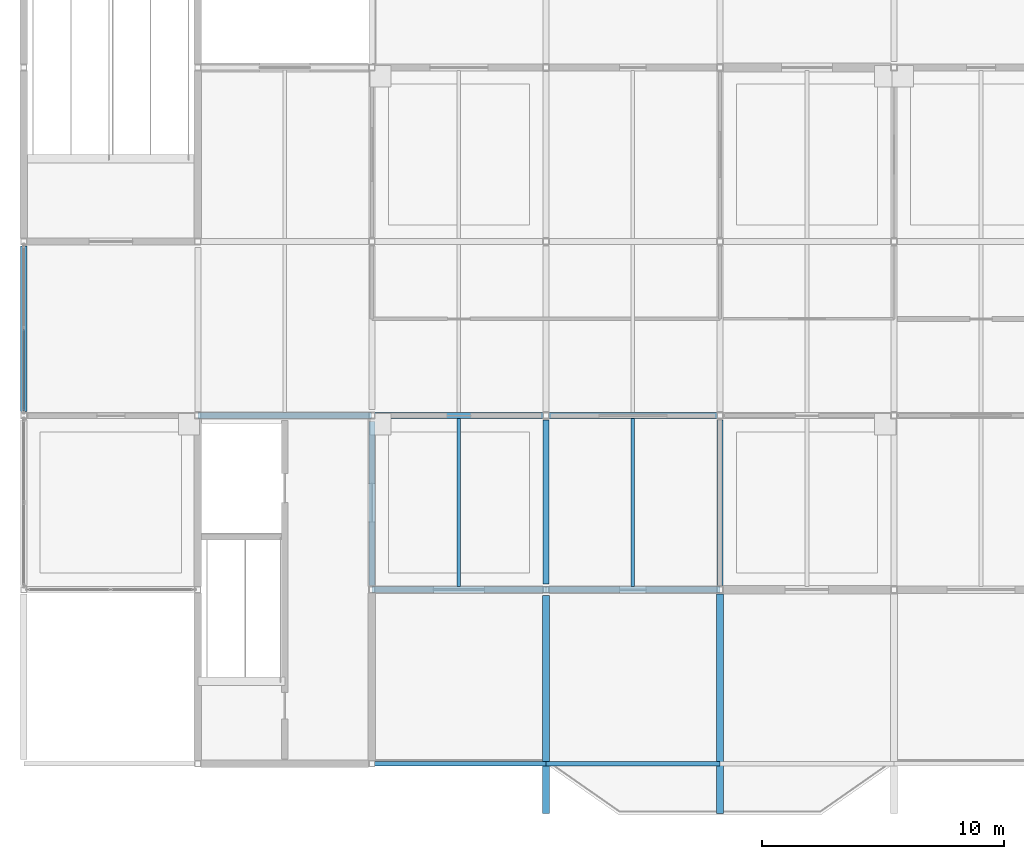
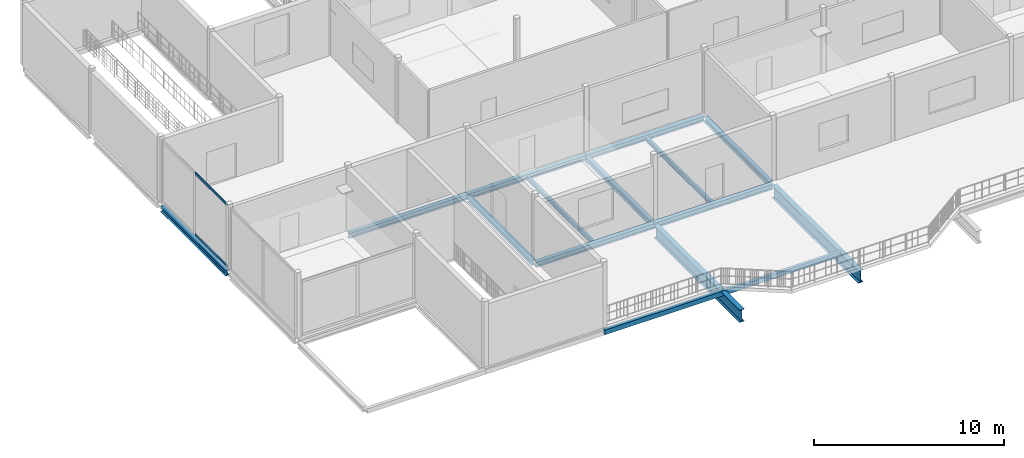
# One storey, part 8 of 18: 15 beams, 2 members, 1 element without a shape of its own.
"""IFC4 building model written with IfcOpenShell, lengths in metres."""

from ifc_helpers import new_model, si_unit, direction, frame, origin, origin_2d, place, context, subcontext, project, spatial, hollow_rectangle, i_section, extrude, material, material_profile, profile_set, type_object, element, aggregate, save


model = new_model("IFC4")

# Units and contexts
model_context = context("Model", 3, precision=1e-05, world=origin(), true_north=direction((0.0, 1.0)))
body_context = subcontext(model_context, "Body", "Model", "MODEL_VIEW")
ifc_project = project(units=[si_unit("LENGTHUNIT", "METRE"), si_unit("AREAUNIT", "SQUARE_METRE"), si_unit("VOLUMEUNIT", "CUBIC_METRE"), si_unit("PLANEANGLEUNIT", "RADIAN"), si_unit("MASSUNIT", "GRAM", prefix="KILO")], contexts=[model_context])

# Site, building, storey
site_placement = place(None, origin())
site = spatial("IfcSite", under=ifc_project, at=site_placement, CompositionType="ELEMENT")
building_placement = place(site_placement, origin())
building = spatial("IfcBuilding", under=site, at=building_placement, Name="Vesperath Aquatics Centre", CompositionType="ELEMENT")
storey_placement = place(building_placement, frame((0.0, 0.0, 23.39990234375)))
storey = spatial("IfcBuildingStorey", under=building, at=storey_placement, Name="L05", CompositionType="ELEMENT", Elevation=23.39990234375)

# Beams
ifc_material_1 = material(Name="Steel Q355D", Category="steel")
ifc_material_profile_1 = material_profile(ifc_material_1, i_section(OverallWidth=0.300048828125, OverallDepth=0.800048828125, WebThickness=0.013916015625, FlangeThickness=0.02587890625, FilletRadius=0.028076171875, at=origin_2d()), Name="HN 800x300x14x26")
ifc_profile_set_1 = profile_set([ifc_material_profile_1], Name="Steel Q355D")
beam_type_1 = type_object("IfcBeamType", Name="BM-G07", PredefinedType="BEAM", material=ifc_profile_set_1)
beam_1_placement = place(storey_placement, frame((136.800048828125, -2.050048828125, -0.619873046875), z_axis=(0.0, 1.0, 0.0), x_axis=(-1.0, 0.0, 0.0)))
element("IfcBeam", 1, at=beam_1_placement, inside=storey, type_object=beam_type_1, Name="Floor Girder B07 L05 20 A-B", PredefinedType="BEAM", context=body_context, shape_type="SweptSolid", body=[
    extrude(i_section(OverallWidth=0.300048828125, OverallDepth=0.800048828125, WebThickness=0.013916015625, FlangeThickness=0.02587890625, FilletRadius=0.028076171875, at=origin_2d()), origin(), (0.0, 0.0, 1.0), 9.006103515625),
])
beam_2_placement = place(storey_placement, frame((144.0, -2.050048828125, -0.619873046875), z_axis=(0.0, 1.0, 0.0), x_axis=(-1.0, 0.0, 0.0)))
element("IfcBeam", 2, at=beam_2_placement, inside=storey, type_object=beam_type_1, Name="Floor Girder B07 L05 21 A-B", PredefinedType="BEAM", context=body_context, shape_type="SweptSolid", body=[
    extrude(i_section(OverallWidth=0.300048828125, OverallDepth=0.800048828125, WebThickness=0.013916015625, FlangeThickness=0.02587890625, FilletRadius=0.028076171875, at=origin_2d()), origin(), (0.0, 0.0, 1.0), 9.074951171875),
])
ifc_material_2 = material(Name="Steel Q355C", Category="steel")
ifc_material_profile_2 = material_profile(ifc_material_2, i_section(OverallWidth=0.25, OverallDepth=0.340087890625, WebThickness=0.009033203125, FlangeThickness=0.013916015625, FilletRadius=0.02001953125, at=origin_2d()), Name="HM 340x250x9x14")
ifc_profile_set_2 = profile_set([ifc_material_profile_2], Name="Steel Q355C")
beam_type_2 = type_object("IfcBeamType", Name="BM-G12", PredefinedType="BEAM", material=ifc_profile_set_2)
for number, where, z_axis, x_axis, name in (
    (3, (122.406005859375, 14.39990234375, -0.389892578125), (1.0, 0.0, 0.0), (0.0, 1.0, 0.0), "Floor Girder B12 L05 C 18-19"),
    (4, (129.60595703125, 7.199951171875, -0.389892578125), (1.0, 0.0, 0.0), (0.0, 1.0, 0.0), "Floor Girder B12 L05 B 19-20"),
    (5, (129.60546875, 14.39990234375, -0.389892578125), (1.0, 0.0, 0.0), (0.0, 1.0, 0.0), "Floor Girder B12 L05 C 19-20"),
    (6, (136.805419921875, 7.199951171875, -0.389892578125), (1.0, 0.0, 0.0), (0.0, 1.0, 0.0), "Floor Girder B12 L05 B 20-21"),
):
    element("IfcBeam", number, at=place(storey_placement, frame(where, z_axis=z_axis, x_axis=x_axis)), inside=storey, type_object=beam_type_2, Name=name, PredefinedType="BEAM", context=body_context, shape_type="SweptSolid", body=[
        extrude(i_section(OverallWidth=0.25, OverallDepth=0.340087890625, WebThickness=0.009033203125, FlangeThickness=0.013916015625, FilletRadius=0.02001953125, at=origin_2d()), origin(), (0.0, 0.0, 1.0), 7.1884765625),
    ])
beam_3_placement = place(storey_placement, frame((136.805908203125, 14.39990234375, -0.389892578125), z_axis=(1.0, 0.0, 0.0), x_axis=(0.0, 1.0, 0.0)))
element("IfcBeam", 7, at=beam_3_placement, inside=storey, type_object=beam_type_2, Name="Floor Girder B12 L05 C 20-21", PredefinedType="BEAM", context=body_context, shape_type="SweptSolid", body=[
    extrude(i_section(OverallWidth=0.25, OverallDepth=0.340087890625, WebThickness=0.009033203125, FlangeThickness=0.013916015625, FilletRadius=0.02001953125, at=origin_2d()), origin(), (0.0, 0.0, 1.0), 7.18798828125),
])
beam_4_placement = place(storey_placement, frame((115.199951171875, 14.574951171875, -0.389892578125), z_axis=(0.0, 1.0, 0.0), x_axis=(-1.0, 0.0, 0.0)))
element("IfcBeam", 8, at=beam_4_placement, inside=storey, type_object=beam_type_2, Name="Floor Girder B12 L05 17 C-D", PredefinedType="BEAM", context=body_context, shape_type="SweptSolid", body=[
    extrude(i_section(OverallWidth=0.25, OverallDepth=0.340087890625, WebThickness=0.009033203125, FlangeThickness=0.013916015625, FilletRadius=0.02001953125, at=origin_2d()), origin(), (0.0, 0.0, 1.0), 6.85009765625),
])
for number, where, z_axis, x_axis, name in (
    (9, (129.60009765625, 7.375, -0.389892578125), (0.0, 1.0, 0.0), (-1.0, 0.0, 0.0), "Floor Girder B12 L05 19 B-C"),
    (10, (136.800048828125, 7.444091796875, -0.389892578125), (0.0, 1.0, 0.0), (-1.0, 0.0, 0.0), "Floor Girder B12 L05 20 B-C"),
):
    element("IfcBeam", number, at=place(storey_placement, frame(where, z_axis=z_axis, x_axis=x_axis)), inside=storey, type_object=beam_type_2, Name=name, PredefinedType="BEAM", context=body_context, shape_type="SweptSolid", body=[
        extrude(i_section(OverallWidth=0.25, OverallDepth=0.340087890625, WebThickness=0.009033203125, FlangeThickness=0.013916015625, FilletRadius=0.02001953125, at=origin_2d()), origin(), (0.0, 0.0, 1.0), 6.781005859375),
    ])
beam_5_placement = place(storey_placement, frame((144.0, 7.375, -0.389892578125), z_axis=(0.0, 1.0, 0.0), x_axis=(-1.0, 0.0, 0.0)))
element("IfcBeam", 11, at=beam_5_placement, inside=storey, type_object=beam_type_2, Name="Floor Girder B12 L05 21 B-C", PredefinedType="BEAM", context=body_context, shape_type="SweptSolid", body=[
    extrude(i_section(OverallWidth=0.25, OverallDepth=0.340087890625, WebThickness=0.009033203125, FlangeThickness=0.013916015625, FilletRadius=0.02001953125, at=origin_2d()), origin(), (0.0, 0.0, 1.0), 6.85009765625),
])
ifc_material_profile_3 = material_profile(ifc_material_2, i_section(OverallWidth=0.14990234375, OverallDepth=0.300048828125, WebThickness=0.006591796875, FlangeThickness=0.009033203125, FilletRadius=0.012939453125, at=origin_2d()), Name="HN 300x150x6.5x9")
ifc_profile_set_3 = profile_set([ifc_material_profile_3], Name="Steel Q355C")
beam_type_3 = type_object("IfcBeamType", Name="BM-J06", PredefinedType="JOIST", material=ifc_profile_set_3)
for number, where, z_axis, x_axis, name in (
    (12, (133.199951171875, 7.324951171875, -0.369873046875), (0.0, 1.0, 0.0), (-1.0, 0.0, 0.0), "Secondary Floor Joist J06 L05 19/B"),
    (13, (140.39990234375, 7.324951171875, -0.369873046875), (0.0, 1.0, 0.0), (-1.0, 0.0, 0.0), "Secondary Floor Joist J06 L05 20/B"),
):
    element("IfcBeam", number, at=place(storey_placement, frame(where, z_axis=z_axis, x_axis=x_axis)), inside=storey, type_object=beam_type_3, Name=name, PredefinedType="JOIST", context=body_context, shape_type="SweptSolid", body=[
        extrude(i_section(OverallWidth=0.14990234375, OverallDepth=0.300048828125, WebThickness=0.006591796875, FlangeThickness=0.009033203125, FilletRadius=0.012939453125, at=origin_2d()), origin(), (0.0, 0.0, 1.0), 6.949951171875),
    ])
ifc_material_profile_4 = material_profile(ifc_material_2, hollow_rectangle(XDim=0.199951171875, YDim=0.300048828125, WallThickness=0.010009765625, at=origin_2d()), Name="RHS 300x200x10")
ifc_profile_set_4 = profile_set([ifc_material_profile_4], Name="Steel Q355C")
beam_type_4 = type_object("IfcBeamType", Name="BM-LN02", PredefinedType="LINTEL", material=ifc_profile_set_4)
beam_6_placement = place(storey_placement, frame((129.60595703125, 0.0, -0.369873046875), z_axis=(1.0, 0.0, 0.0), x_axis=(0.0, 1.0, 0.0)))
element("IfcBeam", 14, at=beam_6_placement, inside=storey, type_object=beam_type_4, Name="Floor Girder LN02 L05 A 19-20", PredefinedType="LINTEL", context=body_context, shape_type="SweptSolid", body=[
    extrude(hollow_rectangle(XDim=0.199951171875, YDim=0.300048828125, WallThickness=0.010009765625, at=origin_2d()), origin(), (0.0, 0.0, 1.0), 7.18798828125),
])
beam_7_placement = place(storey_placement, frame((136.805908203125, 0.0, -0.369873046875), z_axis=(1.0, 0.0, 0.0), x_axis=(0.0, 1.0, 0.0)))
element("IfcBeam", 15, at=beam_7_placement, inside=storey, type_object=beam_type_4, Name="Floor Girder LN02 L05 A 20-21", PredefinedType="LINTEL", context=body_context, shape_type="SweptSolid", body=[
    extrude(hollow_rectangle(XDim=0.199951171875, YDim=0.300048828125, WallThickness=0.010009765625, at=origin_2d()), origin(), (0.0, 0.0, 1.0), 7.1884765625),
])

# Curtain wall, members
ifc_material_3 = material(Name="Thermally broken anodised bronze aluminium curtain wall", Category="aluminium")
curtain_wall_type = type_object("IfcCurtainWallType", Name="CW-07", PredefinedType="NOTDEFINED", material=ifc_material_3)
curtain_wall_placement = place(storey_placement, origin())
curtain_wall = element("IfcCurtainWall", 16, at=curtain_wall_placement, inside=storey, type_object=curtain_wall_type, Name="Facade Curtain Wall CW07 L05_W_16_02", PredefinedType="NOTDEFINED")
ifc_material_4 = material(Name="Thermally broken anodised aluminium", Category="aluminium")
ifc_material_profile_5 = material_profile(ifc_material_4, hollow_rectangle(XDim=0.06494140625, YDim=0.139892578125, WallThickness=0.00390625, at=origin_2d()), Name="CWT 65x140x4")
ifc_profile_set_5 = profile_set([ifc_material_profile_5], Name="Thermally broken anodised aluminium")
member_type = type_object("IfcMemberType", Name="MB-CWT3", PredefinedType="USERDEFINED", material=ifc_profile_set_5)
member_1_placement = place(storey_placement, frame((115.199951171875, 14.594970703125, 0.03271484375), z_axis=(0.0, 1.0, 0.0), x_axis=(-1.0, 0.0, 0.0)))
member_1 = element("IfcMember", 17, at=member_1_placement, type_object=member_type, Name="CW07 transom 1.1", ObjectType="TRANSOM", PredefinedType="USERDEFINED", context=body_context, shape_type="SweptSolid", body=[
    extrude(hollow_rectangle(XDim=0.06494140625, YDim=0.139892578125, WallThickness=0.00390625, at=origin_2d()), origin(), (0.0, 0.0, 1.0), 3.37255859375),
])
member_2_placement = place(storey_placement, frame((115.199951171875, 14.594970703125, 3.947509765625), z_axis=(0.0, 1.0, 0.0), x_axis=(-1.0, 0.0, 0.0)))
member_2 = element("IfcMember", 18, at=member_2_placement, type_object=member_type, Name="CW07 transom 1.2", ObjectType="TRANSOM", PredefinedType="USERDEFINED", context=body_context, shape_type="SweptSolid", body=[
    extrude(hollow_rectangle(XDim=0.06494140625, YDim=0.139892578125, WallThickness=0.00390625, at=origin_2d()), origin(), (0.0, 0.0, 1.0), 3.37255859375),
])
aggregate(curtain_wall, [member_1, member_2])

save(model, "model.ifc")
